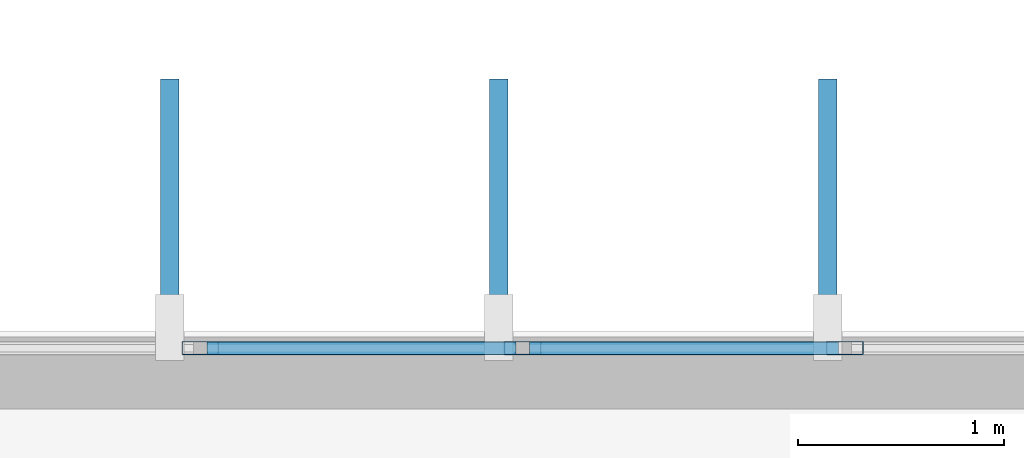
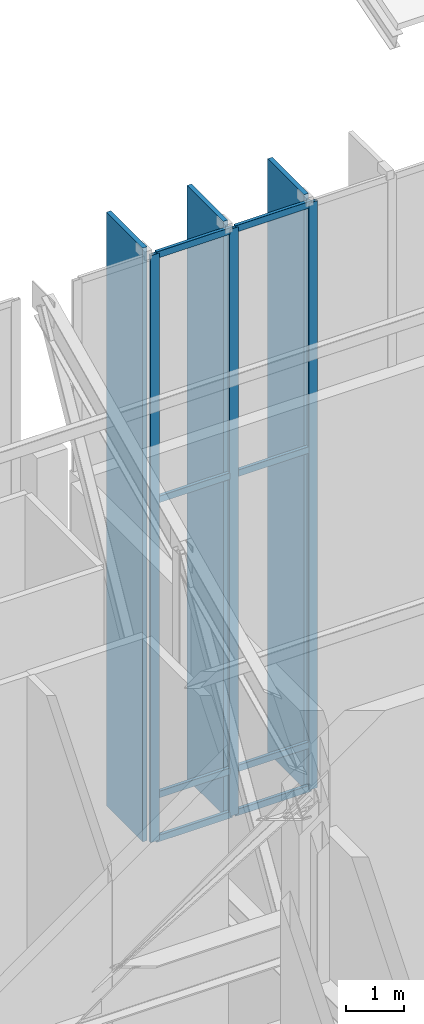
# One storey, part 40 of 68: 14 members, 1 element without a shape of its own.
"""IFC4 building model written with IfcOpenShell, lengths in metres."""

from ifc_helpers import new_model, si_unit, direction, frame, origin, origin_2d, place, context, subcontext, project, spatial, rectangle, hollow_rectangle, extrude, material, material_profile, profile_set, type_object, element, aggregate, save


model = new_model("IFC4")

# Units and contexts
model_context = context("Model", 3, precision=1e-05, world=origin(), true_north=direction((0.0, 1.0)))
body_context = subcontext(model_context, "Body", "Model", "MODEL_VIEW")
ifc_project = project(units=[si_unit("LENGTHUNIT", "METRE"), si_unit("AREAUNIT", "SQUARE_METRE"), si_unit("VOLUMEUNIT", "CUBIC_METRE"), si_unit("PLANEANGLEUNIT", "RADIAN"), si_unit("MASSUNIT", "GRAM", prefix="KILO")], contexts=[model_context])

# Site, building, storey
site_placement = place(None, origin())
site = spatial("IfcSite", under=ifc_project, at=site_placement, CompositionType="ELEMENT")
building_placement = place(site_placement, origin())
building = spatial("IfcBuilding", under=site, at=building_placement, Name="Miravela Opera House", CompositionType="ELEMENT")
storey_placement = place(building_placement, frame((0.0, 0.0, 21.760009765625)))
storey = spatial("IfcBuildingStorey", under=building, at=storey_placement, Name="L05", CompositionType="ELEMENT", Elevation=21.760009765625)

# Curtain wall, members
ifc_material = material(Name="Anodised architectural bronze aluminium 6063-T6", Category="aluminium")
curtain_wall_type = type_object("IfcCurtainWallType", Name="ARC-CW-03", PredefinedType="NOTDEFINED", material=ifc_material)
curtain_wall_placement = place(storey_placement, origin())
curtain_wall = element("IfcCurtainWall", 1, at=curtain_wall_placement, inside=storey, type_object=curtain_wall_type, Name="Auditorium North Wrapper Glazing CW-L05-063", PredefinedType="NOTDEFINED")
ifc_material_profile_1 = material_profile(ifc_material, hollow_rectangle(XDim=0.06494140625, YDim=0.179931640625, WallThickness=0.00390625, InnerFilletRadius=0.001953125, OuterFilletRadius=0.00390625, at=origin_2d()), Name="CWM-65X180")
ifc_profile_set_1 = profile_set([ifc_material_profile_1])
member_type_1 = type_object("IfcMemberType", Name="ARC-CWM-180", PredefinedType="MULLION", material=ifc_profile_set_1)
member_1_placement = place(storey_placement, frame((47.14794921875, 74.919921875, 0.0), z_axis=(0.0, 0.0, 1.0), x_axis=(0.0, 1.0, 0.0)))
member_1 = element("IfcMember", 2, at=member_1_placement, type_object=member_type_1, Name="CW-03 mullion 2", PredefinedType="MULLION", context=body_context, shape_type="SweptSolid", body=[
    extrude(hollow_rectangle(XDim=0.06494140625, YDim=0.179931640625, WallThickness=0.00390625, InnerFilletRadius=0.001953125, OuterFilletRadius=0.00390625, at=origin_2d()), origin(), (0.0, 0.0, 1.0), 12.31005859375),
])
member_2_placement = place(storey_placement, frame((48.716064453125, 74.919921875, 0.0), z_axis=(0.0, 0.0, 1.0), x_axis=(0.0, 1.0, 0.0)))
member_2 = element("IfcMember", 3, at=member_2_placement, type_object=member_type_1, Name="CW-03 mullion 3", PredefinedType="MULLION", context=body_context, shape_type="SweptSolid", body=[
    extrude(hollow_rectangle(XDim=0.06494140625, YDim=0.179931640625, WallThickness=0.00390625, InnerFilletRadius=0.001953125, OuterFilletRadius=0.00390625, at=origin_2d()), origin(), (0.0, 0.0, 1.0), 12.31005859375),
])
member_3_placement = place(storey_placement, frame((50.283935546875, 74.919921875, 0.0), z_axis=(0.0, 0.0, 1.0), x_axis=(0.0, 1.0, 0.0)))
member_3 = element("IfcMember", 4, at=member_3_placement, type_object=member_type_1, Name="CW-03 mullion 4", PredefinedType="MULLION", context=body_context, shape_type="SweptSolid", body=[
    extrude(hollow_rectangle(XDim=0.06494140625, YDim=0.179931640625, WallThickness=0.00390625, InnerFilletRadius=0.001953125, OuterFilletRadius=0.00390625, at=origin_2d()), origin(), (0.0, 0.0, 1.0), 12.31005859375),
])
ifc_material_profile_2 = material_profile(ifc_material, hollow_rectangle(XDim=0.06494140625, YDim=0.139892578125, WallThickness=0.00390625, InnerFilletRadius=0.001953125, OuterFilletRadius=0.00390625, at=origin_2d()), Name="CWT-65X140")
ifc_profile_set_2 = profile_set([ifc_material_profile_2])
member_type_2 = type_object("IfcMemberType", Name="ARC-CWT-140", PredefinedType="USERDEFINED", material=ifc_profile_set_2)
member_4_placement = place(storey_placement, frame((47.180419921875, 74.919921875, 0.032470703125), z_axis=(1.0, 0.0, 0.0), x_axis=(0.0, 1.0, 0.0)))
member_4 = element("IfcMember", 5, at=member_4_placement, type_object=member_type_2, Name="CW-03 transom 2.1", ObjectType="TRANSOM", PredefinedType="USERDEFINED", context=body_context, shape_type="SweptSolid", body=[
    extrude(hollow_rectangle(XDim=0.06494140625, YDim=0.139892578125, WallThickness=0.00390625, InnerFilletRadius=0.001953125, OuterFilletRadius=0.00390625, at=origin_2d()), origin(), (0.0, 0.0, 1.0), 1.503173828125),
])
member_5_placement = place(storey_placement, frame((47.180419921875, 74.919921875, 0.949951171875), z_axis=(1.0, 0.0, 0.0), x_axis=(0.0, 1.0, 0.0)))
member_5 = element("IfcMember", 6, at=member_5_placement, type_object=member_type_2, Name="CW-03 transom 2.2", ObjectType="TRANSOM", PredefinedType="USERDEFINED", context=body_context, shape_type="SweptSolid", body=[
    extrude(hollow_rectangle(XDim=0.06494140625, YDim=0.139892578125, WallThickness=0.00390625, InnerFilletRadius=0.001953125, OuterFilletRadius=0.00390625, at=origin_2d()), origin(), (0.0, 0.0, 1.0), 1.503173828125),
])
member_6_placement = place(storey_placement, frame((47.180419921875, 74.919921875, 7.139892578125), z_axis=(1.0, 0.0, 0.0), x_axis=(0.0, 1.0, 0.0)))
member_6 = element("IfcMember", 7, at=member_6_placement, type_object=member_type_2, Name="CW-03 transom 2.3", ObjectType="TRANSOM", PredefinedType="USERDEFINED", context=body_context, shape_type="SweptSolid", body=[
    extrude(hollow_rectangle(XDim=0.06494140625, YDim=0.139892578125, WallThickness=0.00390625, InnerFilletRadius=0.001953125, OuterFilletRadius=0.00390625, at=origin_2d()), origin(), (0.0, 0.0, 1.0), 1.503173828125),
])
member_7_placement = place(storey_placement, frame((47.180419921875, 74.919921875, 12.277587890625), z_axis=(1.0, 0.0, 0.0), x_axis=(0.0, 1.0, 0.0)))
member_7 = element("IfcMember", 8, at=member_7_placement, type_object=member_type_2, Name="CW-03 transom 2.4", ObjectType="TRANSOM", PredefinedType="USERDEFINED", context=body_context, shape_type="SweptSolid", body=[
    extrude(hollow_rectangle(XDim=0.06494140625, YDim=0.139892578125, WallThickness=0.00390625, InnerFilletRadius=0.001953125, OuterFilletRadius=0.00390625, at=origin_2d()), origin(), (0.0, 0.0, 1.0), 1.503173828125),
])
member_8_placement = place(storey_placement, frame((48.74853515625, 74.919921875, 0.032470703125), z_axis=(1.0, 0.0, 0.0), x_axis=(0.0, 1.0, 0.0)))
member_8 = element("IfcMember", 9, at=member_8_placement, type_object=member_type_2, Name="CW-03 transom 3.1", ObjectType="TRANSOM", PredefinedType="USERDEFINED", context=body_context, shape_type="SweptSolid", body=[
    extrude(hollow_rectangle(XDim=0.06494140625, YDim=0.139892578125, WallThickness=0.00390625, InnerFilletRadius=0.001953125, OuterFilletRadius=0.00390625, at=origin_2d()), origin(), (0.0, 0.0, 1.0), 1.5029296875),
])
member_9_placement = place(storey_placement, frame((48.74853515625, 74.919921875, 0.949951171875), z_axis=(1.0, 0.0, 0.0), x_axis=(0.0, 1.0, 0.0)))
member_9 = element("IfcMember", 10, at=member_9_placement, type_object=member_type_2, Name="CW-03 transom 3.2", ObjectType="TRANSOM", PredefinedType="USERDEFINED", context=body_context, shape_type="SweptSolid", body=[
    extrude(hollow_rectangle(XDim=0.06494140625, YDim=0.139892578125, WallThickness=0.00390625, InnerFilletRadius=0.001953125, OuterFilletRadius=0.00390625, at=origin_2d()), origin(), (0.0, 0.0, 1.0), 1.5029296875),
])
member_10_placement = place(storey_placement, frame((48.74853515625, 74.919921875, 7.139892578125), z_axis=(1.0, 0.0, 0.0), x_axis=(0.0, 1.0, 0.0)))
member_10 = element("IfcMember", 11, at=member_10_placement, type_object=member_type_2, Name="CW-03 transom 3.3", ObjectType="TRANSOM", PredefinedType="USERDEFINED", context=body_context, shape_type="SweptSolid", body=[
    extrude(hollow_rectangle(XDim=0.06494140625, YDim=0.139892578125, WallThickness=0.00390625, InnerFilletRadius=0.001953125, OuterFilletRadius=0.00390625, at=origin_2d()), origin(), (0.0, 0.0, 1.0), 1.5029296875),
])
member_11_placement = place(storey_placement, frame((48.74853515625, 74.919921875, 12.277587890625), z_axis=(1.0, 0.0, 0.0), x_axis=(0.0, 1.0, 0.0)))
member_11 = element("IfcMember", 12, at=member_11_placement, type_object=member_type_2, Name="CW-03 transom 3.4", ObjectType="TRANSOM", PredefinedType="USERDEFINED", context=body_context, shape_type="SweptSolid", body=[
    extrude(hollow_rectangle(XDim=0.06494140625, YDim=0.139892578125, WallThickness=0.00390625, InnerFilletRadius=0.001953125, OuterFilletRadius=0.00390625, at=origin_2d()), origin(), (0.0, 0.0, 1.0), 1.5029296875),
])
aggregate(curtain_wall, [member_1, member_2, member_3, member_4, member_5, member_6, member_7, member_8, member_9, member_10, member_11])

# Members
ifc_material_profile_3 = material_profile(ifc_material, rectangle(XDim=0.090087890625, YDim=1.25, at=origin_2d()), Name="FIN-1250X90")
ifc_profile_set_3 = profile_set([ifc_material_profile_3])
member_type_3 = type_object("IfcMemberType", Name="ARC-FIN-1250", PredefinedType="USERDEFINED", material=ifc_profile_set_3)
for number, where, z_axis, x_axis, name in (
    (13, (47.0, 75.60498046875, 0.0), (0.0, 0.0, 1.0), (1.0, 0.0, 0.0), "Auditorium Wrapper Bronze Solar Fin FIN-L05-NORTH-0197"),
    (14, (48.60009765625, 75.60498046875, 0.0), (0.0, 0.0, 1.0), (1.0, 0.0, 0.0), "Auditorium Wrapper Bronze Solar Fin FIN-L05-NORTH-0199"),
    (15, (50.199951171875, 75.60498046875, 0.0), (0.0, 0.0, 1.0), (1.0, 0.0, 0.0), "Auditorium Wrapper Bronze Solar Fin FIN-L05-NORTH-0201"),
):
    element("IfcMember", number, at=place(storey_placement, frame(where, z_axis=z_axis, x_axis=x_axis)), inside=storey, type_object=member_type_3, Name=name, ObjectType="FIN", PredefinedType="USERDEFINED", context=body_context, shape_type="SweptSolid", body=[
        extrude(rectangle(XDim=0.090087890625, YDim=1.25, at=origin_2d()), origin(), (0.0, 0.0, 1.0), 12.449951171875),
    ])

save(model, "model.ifc")
